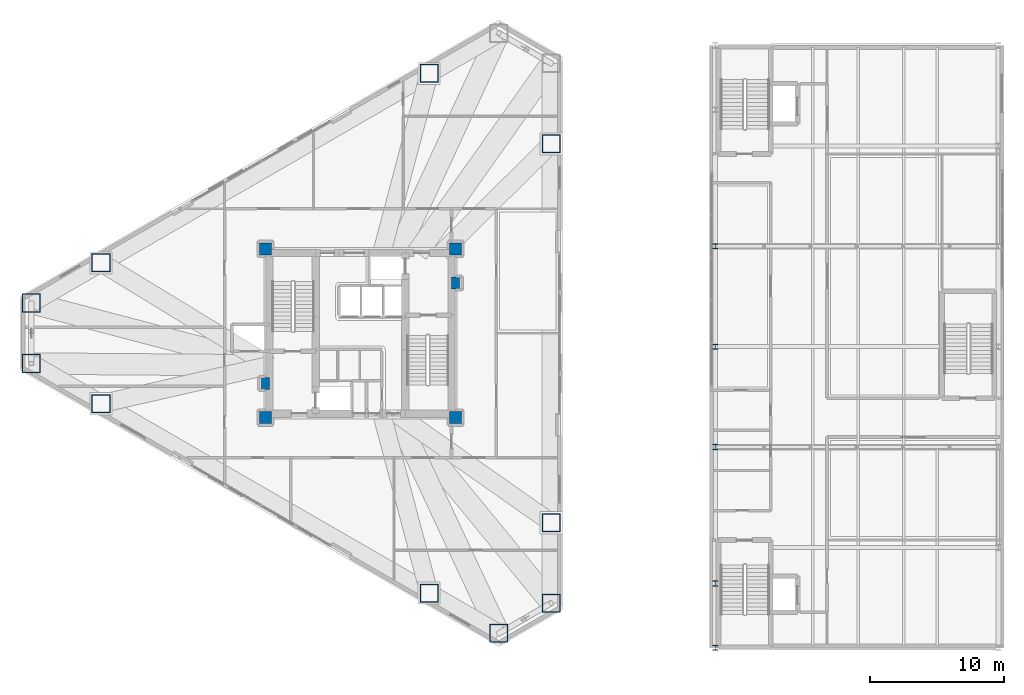
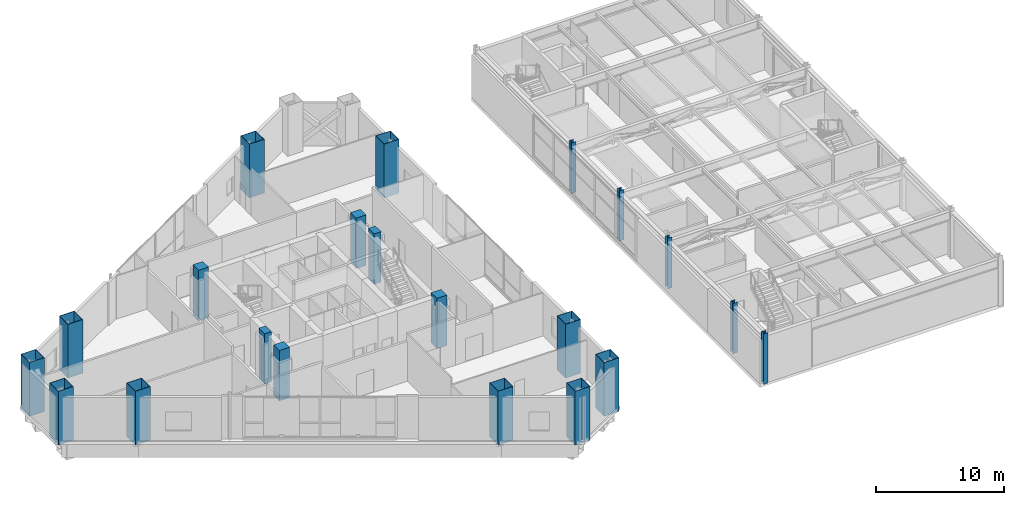
# One storey, part 1 of 29: 21 columns.
"""IFC4 building model written with IfcOpenShell, lengths in metres."""

import ifcopenshell
import ifcopenshell.guid

model = None  # the IFC model being written
_history = None  # IfcOwnerHistory: only IFC2X3 demands one
_inside = {}  # id of a spatial element -> (the spatial element, [elements in it])
_under = {}  # id of a project, library or spatial element -> (it, [spatial elements below it])
_declared = {}  # id of a project -> (the project, [libraries it declares])
_typed = {}  # id of a type object -> (the type object, [elements of that type])
_made_of = {}  # id of a material, layer set ... -> (it, [elements and type objects made of it])


def new_model(schema):
    """Start an empty IFC model of exactly this schema.

    Asked for "IFC4X3", IfcOpenShell would pick the latest addendum, in which some entities
    have other attributes; the version numbers below select the first issue.
    IFC2X3 requires an IfcOwnerHistory on every rooted entity: one is made here for all.
    """
    global model, _history
    if schema == "IFC4X3":
        model = ifcopenshell.file(schema_version=(4, 3, 0, 0))
    else:
        model = ifcopenshell.file(schema=schema)
    _inside.clear()
    _under.clear()
    _declared.clear()
    _typed.clear()
    _made_of.clear()
    _history = None
    if model.schema == "IFC2X3":
        org = make("IfcOrganization", Name="unknown")
        user = make(
            "IfcPersonAndOrganization",
            ThePerson=make("IfcPerson", FamilyName="unknown"),
            TheOrganization=org,
        )
        app = make(
            "IfcApplication",
            ApplicationDeveloper=org,
            Version="unknown",
            ApplicationFullName="unknown",
            ApplicationIdentifier="unknown",
        )
        _history = make(
            "IfcOwnerHistory",
            OwningUser=user,
            OwningApplication=app,
            ChangeAction="ADDED",
            CreationDate=0,
        )
    return model


def make(cls, **values):
    """One entity of the class cls with the attributes given. An attribute that is None is left unset."""
    return model.create_entity(
        cls, **{name: value for name, value in values.items() if value is not None}
    )


def rooted(cls, **values):
    """An entity with a GlobalId (a new one), such as an element, a storey or a relation."""
    return make(cls, GlobalId=ifcopenshell.guid.new(), OwnerHistory=_history, **values)


def si_unit(unit_type, name, prefix=None):
    """IfcSIUnit, for example si_unit("LENGTHUNIT", "METRE", prefix="MILLI")."""
    return make("IfcSIUnit", UnitType=unit_type, Prefix=prefix, Name=name)


def assignment(units):
    """IfcUnitAssignment: the units of a project."""
    return None if units is None else make("IfcUnitAssignment", Units=units)


def point(xyz):
    """IfcCartesianPoint."""
    return None if xyz is None else make("IfcCartesianPoint", Coordinates=xyz)


def direction(xyz):
    """IfcDirection."""
    return None if xyz is None else make("IfcDirection", DirectionRatios=xyz)


def frame(location, z_axis=None, x_axis=None):
    """IfcAxis2Placement3D, a coordinate frame: its origin and axes. An axis left out is left unset."""
    return make(
        "IfcAxis2Placement3D",
        Location=point(location),
        Axis=direction(z_axis),
        RefDirection=direction(x_axis),
    )


def frame_2d(location, x_axis=None):
    """IfcAxis2Placement2D, a coordinate frame in the plane: its origin and x axis."""
    return make(
        "IfcAxis2Placement2D", Location=point(location), RefDirection=direction(x_axis)
    )


def origin():
    """The frame at (0, 0, 0) with its axes left unset."""
    return frame((0.0, 0.0, 0.0))


def origin_2d():
    """The frame at (0, 0) in the plane with its x axis left unset."""
    return frame_2d((0.0, 0.0))


def place(relative_to, where):
    """IfcLocalPlacement: puts the frame where relative to a parent placement (None: the world)."""
    return make(
        "IfcLocalPlacement", PlacementRelTo=relative_to, RelativePlacement=where
    )


def context(
    kind, dimensions, precision=None, world=None, true_north=None, identifier=None
):
    """IfcGeometricRepresentationContext, for example the 3D "Model" context."""
    return make(
        "IfcGeometricRepresentationContext",
        ContextIdentifier=identifier,
        ContextType=kind,
        CoordinateSpaceDimension=dimensions,
        Precision=precision,
        WorldCoordinateSystem=world,
        TrueNorth=true_north,
    )


def subcontext(parent, identifier, kind, view, scale=None):
    """IfcGeometricRepresentationSubContext, for example "Body" below "Model"."""
    return make(
        "IfcGeometricRepresentationSubContext",
        ContextIdentifier=identifier,
        ContextType=kind,
        ParentContext=parent,
        TargetScale=scale,
        TargetView=view,
    )


def project(units=None, contexts=None):
    """IfcProject with its units and contexts."""
    return rooted(
        "IfcProject",
        Name="project",
        RepresentationContexts=contexts,
        UnitsInContext=assignment(units),
    )


def spatial(cls, under=None, at=None, **own):
    """A site, building, storey or space (cls), placed at a placement, below another one or the project."""
    s = rooted(cls, ObjectPlacement=at, **own)
    if under is not None:
        _under.setdefault(under.id(), (under, []))[1].append(s)
    return s


def profile(cls, at=None, kind="AREA", **sizes):
    """A parametric profile (cls). Its sizes go by their IFC names, for example OverallWidth=200.0."""
    return make(cls, ProfileType=kind, Position=at, **sizes)


def rectangle(**sizes):
    """IfcRectangleProfileDef."""
    return profile("IfcRectangleProfileDef", **sizes)


def hollow_rectangle(**sizes):
    """IfcRectangleHollowProfileDef."""
    return profile("IfcRectangleHollowProfileDef", **sizes)


def i_section(**sizes):
    """IfcIShapeProfileDef."""
    return profile("IfcIShapeProfileDef", **sizes)


def extrude(swept, where, along, depth):
    """IfcExtrudedAreaSolid: the profile swept, set in the frame where, extruded along a direction by depth."""
    return make(
        "IfcExtrudedAreaSolid",
        SweptArea=swept,
        Position=where,
        ExtrudedDirection=direction(along),
        Depth=depth,
    )


def shape(context_of_items, identifier, shape_type, items):
    """IfcShapeRepresentation: the items that make up one representation, for example the "Body"."""
    return make(
        "IfcShapeRepresentation",
        ContextOfItems=context_of_items,
        RepresentationIdentifier=identifier,
        RepresentationType=shape_type,
        Items=items,
    )


def material(Name=None, Category=None):
    """IfcMaterial."""
    return make("IfcMaterial", Name=Name, Category=Category)


def material_profile(
    of_material, cross_section, Name=None, Category=None, Priority=None
):
    """IfcMaterialProfile: a cross section and its material."""
    return make(
        "IfcMaterialProfile",
        Name=Name,
        Material=of_material,
        Profile=cross_section,
        Priority=Priority,
        Category=Category,
    )


def profile_set(profiles, Name=None, composite=None):
    """IfcMaterialProfileSet."""
    return make(
        "IfcMaterialProfileSet",
        Name=Name,
        MaterialProfiles=profiles,
        CompositeProfile=composite,
    )


def made_of(thing, what):
    """Note that an element or type object is made of a material, layer set ...; save() writes the relation."""
    if what is not None:
        _made_of.setdefault(what.id(), (what, []))[1].append(thing)
    return thing


def type_object(cls, material=None, **own):
    """A type object (cls), such as IfcWallType, which elements share."""
    return made_of(rooted(cls, **own), material)


def element(
    cls,
    number,
    at=None,
    inside=None,
    cuts=None,
    type_object=None,
    material=None,
    context=None,
    identifier="Body",
    shape_type=None,
    held_by="IfcProductDefinitionShape",
    body=None,
    shapes=None,
    **own,
):
    """One element of the class cls, such as IfcWall. Its Tag is "e" and its number.

    at: its placement. inside: the storey or other place that contains it. cuts: it is an
    opening in that element (IfcRelVoidsElement). A single representation is given by context,
    identifier, shape_type and body (its items); several are given by shapes. held_by: the class
    of the entity that holds the representations. save() writes the other relations.
    """
    e = rooted(cls, Tag="e%d" % number, ObjectPlacement=at, **own)
    if body is not None:
        shapes = [shape(context, identifier, shape_type, body)]
    if shapes is not None:
        e.Representation = make(held_by, Representations=shapes)
    if inside is not None:
        _inside.setdefault(inside.id(), (inside, []))[1].append(e)
    if cuts is not None:
        rooted(
            "IfcRelVoidsElement", RelatingBuildingElement=cuts, RelatedOpeningElement=e
        )
    if type_object is not None:
        _typed.setdefault(type_object.id(), (type_object, []))[1].append(e)
    return made_of(e, material)


def aggregate(whole, parts):
    """IfcRelAggregates: a whole, such as a stair, and the parts it consists of."""
    return rooted("IfcRelAggregates", RelatingObject=whole, RelatedObjects=parts)


def save(model, path):
    """Write the relations noted so far, then the file.

    IfcRelAggregates (storeys below a building ...), IfcRelContainedInSpatialStructure (elements
    in a storey), IfcRelDefinesByType, IfcRelAssociatesMaterial and IfcRelDeclares: one each for
    every whole, place, type object, material and project.
    """
    for whole, parts in _under.values():
        aggregate(whole, parts)
    for where, things in _inside.values():
        rooted(
            "IfcRelContainedInSpatialStructure",
            RelatedElements=things,
            RelatingStructure=where,
        )
    for kind, things in _typed.values():
        rooted("IfcRelDefinesByType", RelatedObjects=things, RelatingType=kind)
    for what, things in _made_of.values():
        rooted("IfcRelAssociatesMaterial", RelatedObjects=things, RelatingMaterial=what)
    for by, libraries in _declared.values():
        rooted("IfcRelDeclares", RelatingContext=by, RelatedDefinitions=libraries)
    model.write(path)


model = new_model("IFC4")

# Units and contexts
model_context = context("Model", 3, precision=1e-05, world=origin(), true_north=direction((0.0, 1.0)))
body_context = subcontext(model_context, "Body", "Model", "MODEL_VIEW")
ifc_project = project(units=[si_unit("LENGTHUNIT", "METRE"), si_unit("AREAUNIT", "SQUARE_METRE"), si_unit("VOLUMEUNIT", "CUBIC_METRE"), si_unit("PLANEANGLEUNIT", "RADIAN"), si_unit("MASSUNIT", "GRAM", prefix="KILO")], contexts=[model_context])

# Site, building, storey
site_placement = place(None, origin())
site = spatial("IfcSite", under=ifc_project, at=site_placement, CompositionType="ELEMENT")
building_placement = place(site_placement, origin())
building = spatial("IfcBuilding", under=site, at=building_placement, Name="Mersakhor Tower and Convention Hall", CompositionType="ELEMENT")
storey_placement = place(building_placement, frame((0.0, 0.0, 9.60009765625)))
storey = spatial("IfcBuildingStorey", under=building, at=storey_placement, Name="L02", CompositionType="ELEMENT", Elevation=9.60009765625)

# Columns
ifc_material_1 = material(Name="Concrete C70/85 in S460M steel box", Category="concrete")
ifc_material_profile_1 = material_profile(ifc_material_1, hollow_rectangle(XDim=1.35009765625, YDim=1.35009765625, WallThickness=0.035888671875, at=origin_2d()), Name="SHS 1350x1350x36")
ifc_profile_set_1 = profile_set([ifc_material_profile_1], Name="Concrete C70/85 in S460M steel box")
column_type_1 = type_object("IfcColumnType", Name="COL-CFT-1350", PredefinedType="COLUMN", material=ifc_profile_set_1)
for number, where, z_axis, x_axis, name in (
    (1, (4.4130859375, 29.00927734375, -0.320068359375), (0.0, 0.0, 1.0), (1.0, 0.0, 0.0), "L02 Perimeter Mega-Column MC-01"),
    (2, (9.61669921875, 32.013671875, -0.320068359375), (0.0, 0.0, 1.0), (1.0, 0.0, 0.0), "L02 Perimeter Mega-Column MC-02"),
    (3, (34.13330078125, 46.168212890625, -0.320068359375), (0.0, 0.0, 1.0), (1.0, 0.0, 0.0), "L02 Perimeter Mega-Column MC-03"),
    (4, (43.25, 40.904541015625, -0.320068359375), (0.0, 0.0, 1.0), (1.0, 0.0, 0.0), "L02 Perimeter Mega-Column MC-06"),
    (5, (43.25, 12.595458984375, -0.320068359375), (0.0, 0.0, 1.0), (1.0, 0.0, 0.0), "L02 Perimeter Mega-Column MC-07"),
    (6, (43.25, 6.586669921875, -0.320068359375), (0.0, 0.0, 1.0), (1.0, 0.0, 0.0), "L02 Perimeter Mega-Column MC-08"),
    (7, (39.3369140625, 4.327392578125, -0.320068359375), (0.0, 0.0, 1.0), (1.0, 0.0, 0.0), "L02 Perimeter Mega-Column MC-09"),
    (8, (34.13330078125, 7.331787109375, -0.320068359375), (0.0, 0.0, 1.0), (1.0, 0.0, 0.0), "L02 Perimeter Mega-Column MC-10"),
    (9, (9.61669921875, 21.486328125, -0.320068359375), (0.0, 0.0, 1.0), (1.0, 0.0, 0.0), "L02 Perimeter Mega-Column MC-11"),
    (10, (4.4130859375, 24.49072265625, -0.320068359375), (0.0, 0.0, 1.0), (1.0, 0.0, 0.0), "L02 Perimeter Mega-Column MC-12"),
):
    element("IfcColumn", number, at=place(storey_placement, frame(where, z_axis=z_axis, x_axis=x_axis)), inside=storey, type_object=column_type_1, Name=name, PredefinedType="COLUMN", context=body_context, shape_type="SweptSolid", body=[
        extrude(hollow_rectangle(XDim=1.35009765625, YDim=1.35009765625, WallThickness=0.035888671875, at=origin_2d()), origin(), (0.0, 0.0, 1.0), 5.119873046875),
    ])
ifc_material_2 = material(Name="Concrete C60/75", Category="concrete")
ifc_material_profile_2 = material_profile(ifc_material_2, rectangle(XDim=0.89990234375, YDim=0.89990234375, at=origin_2d()), Name="RC 900x900")
ifc_profile_set_2 = profile_set([ifc_material_profile_2], Name="Concrete C60/75")
column_type_2 = type_object("IfcColumnType", Name="COL-RC-900", PredefinedType="COLUMN", material=ifc_profile_set_2)
for number, where, z_axis, x_axis, name in (
    (11, (21.89990234375, 20.449951171875, 0.0), (0.0, 0.0, 1.0), (1.0, 0.0, 0.0), "L02 Core Corner Column CC-1"),
    (12, (21.89990234375, 33.050048828125, 0.0), (0.0, 0.0, 1.0), (1.0, 0.0, 0.0), "L02 Core Corner Column CC-2"),
    (13, (36.10009765625, 33.050048828125, 0.0), (0.0, 0.0, 1.0), (1.0, 0.0, 0.0), "L02 Core Corner Column CC-3"),
    (14, (36.10009765625, 20.449951171875, 0.0), (0.0, 0.0, 1.0), (1.0, 0.0, 0.0), "L02 Core Corner Column CC-4"),
):
    element("IfcColumn", number, at=place(storey_placement, frame(where, z_axis=z_axis, x_axis=x_axis)), inside=storey, type_object=column_type_2, Name=name, PredefinedType="COLUMN", context=body_context, shape_type="SweptSolid", body=[
        extrude(rectangle(XDim=0.89990234375, YDim=0.89990234375, at=origin_2d()), origin(), (0.0, 0.0, 1.0), 4.7998046875),
    ])
ifc_material_3 = material(Name="Steel S355", Category="steel")
ifc_material_profile_3 = material_profile(ifc_material_3, i_section(OverallWidth=0.39892578125, OverallDepth=0.3935546875, WebThickness=0.022705078125, FlangeThickness=0.03662109375, at=origin_2d()), Name="UC 356x406x287")
ifc_profile_set_3 = profile_set([ifc_material_profile_3], Name="Steel S355")
column_type_3 = type_object("IfcColumnType", Name="COL-STL-UC356", PredefinedType="COLUMN", material=ifc_profile_set_3)
for number, where, z_axis, x_axis, name in (
    (15, (55.5, 3.25, 0.0), (0.0, 0.0, 1.0), (1.0, 0.0, 0.0), "Convention L02 Perimeter Column SC-W1"),
    (16, (55.5, 8.050048828125, 0.0), (0.0, 0.0, 1.0), (1.0, 0.0, 0.0), "Convention L02 Perimeter Column SC-W2"),
    (17, (55.5, 18.25, 0.0), (0.0, 0.0, 1.0), (1.0, 0.0, 0.0), "Convention L02 Perimeter Column SC-W3"),
    (18, (55.5, 25.75, 0.0), (0.0, 0.0, 1.0), (1.0, 0.0, 0.0), "Convention L02 Perimeter Column SC-W4"),
    (19, (55.5, 33.25, 0.0), (0.0, 0.0, 1.0), (1.0, 0.0, 0.0), "Convention L02 Perimeter Column SC-W5"),
):
    element("IfcColumn", number, at=place(storey_placement, frame(where, z_axis=z_axis, x_axis=x_axis)), inside=storey, type_object=column_type_3, Name=name, PredefinedType="COLUMN", context=body_context, shape_type="SweptSolid", body=[
        extrude(i_section(OverallWidth=0.39892578125, OverallDepth=0.3935546875, WebThickness=0.022705078125, FlangeThickness=0.03662109375, at=origin_2d()), origin(), (0.0, 0.0, 1.0), 4.7998046875),
    ])
ifc_material_4 = material(Name="Concrete C50/60", Category="concrete")
ifc_material_profile_4 = material_profile(ifc_material_4, rectangle(XDim=0.60009765625, YDim=0.89990234375, at=origin_2d()), Name="RC 600x900")
ifc_profile_set_4 = profile_set([ifc_material_profile_4], Name="Concrete C50/60")
column_type_4 = type_object("IfcColumnType", Name="PIL-RC-600x900", PredefinedType="PILASTER", material=ifc_profile_set_4)
for number, where, z_axis, x_axis, name in (
    (20, (21.89990234375, 23.0, 0.0), (0.0, 0.0, 1.0), (1.0, 0.0, 0.0), "L02 Core Wall Pilaster CP-1"),
    (21, (36.10009765625, 30.5, 0.0), (0.0, 0.0, 1.0), (1.0, 0.0, 0.0), "L02 Core Wall Pilaster CP-2"),
):
    element("IfcColumn", number, at=place(storey_placement, frame(where, z_axis=z_axis, x_axis=x_axis)), inside=storey, type_object=column_type_4, Name=name, PredefinedType="PILASTER", context=body_context, shape_type="SweptSolid", body=[
        extrude(rectangle(XDim=0.60009765625, YDim=0.89990234375, at=origin_2d()), origin(), (0.0, 0.0, 1.0), 4.7998046875),
    ])

save(model, "model.ifc")
